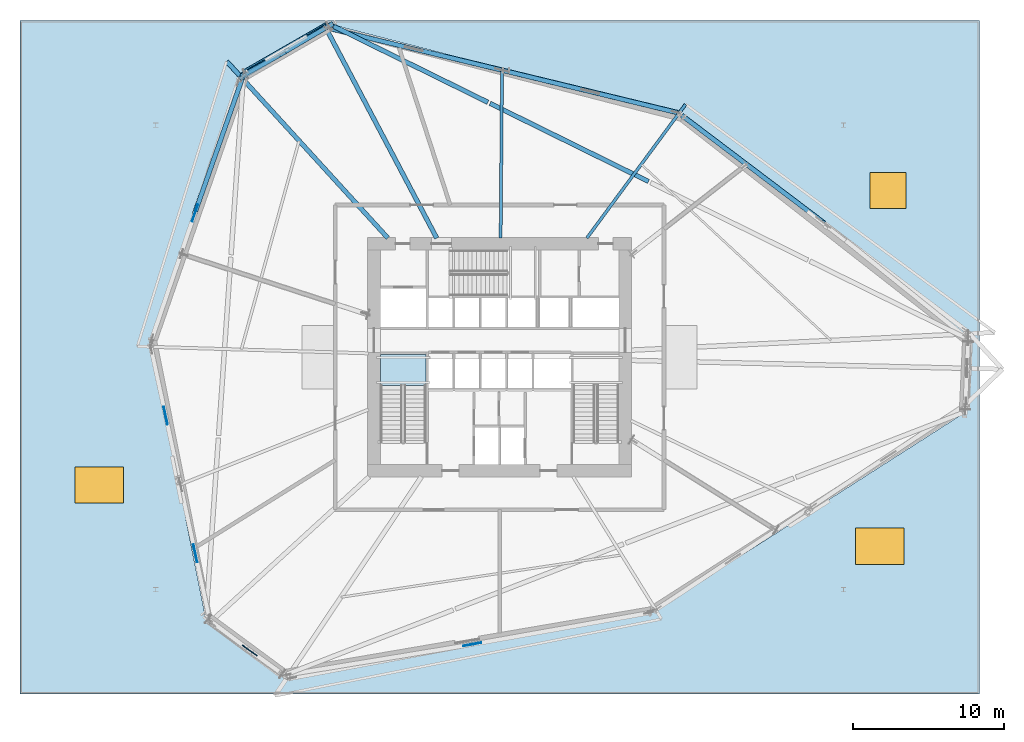
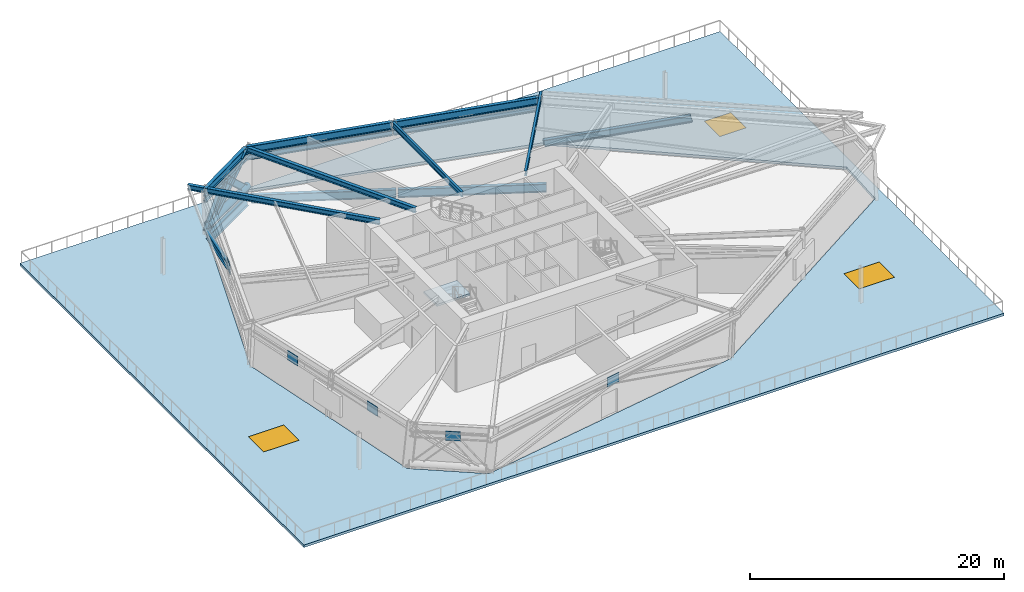
# One storey, part 7 of 20: 10 beams, 9 members, 5 plates, 3 windows, 2 slabs, 3 openings, 1 element without a shape of its own.
"""IFC4 building model written with IfcOpenShell, lengths in metres."""

from ifc_helpers import new_model, si_unit, direction, frame, origin, origin_2d, place, context, subcontext, project, spatial, polyline, rectangle, hollow_circle, i_section, outline, extrude, source, transform, mapped, material, layer, layer_set, material_profile, profile_set, type_object, element, fill, aggregate, save


model = new_model("IFC4")

# Units and contexts
model_context = context("Model", 3, precision=1e-05, world=origin(), true_north=direction((0.0, 1.0)))
body_context = subcontext(model_context, "Body", "Model", "MODEL_VIEW")
ifc_project = project(units=[si_unit("LENGTHUNIT", "METRE"), si_unit("AREAUNIT", "SQUARE_METRE"), si_unit("VOLUMEUNIT", "CUBIC_METRE"), si_unit("PLANEANGLEUNIT", "RADIAN"), si_unit("MASSUNIT", "GRAM", prefix="KILO")], contexts=[model_context])

# Site, building, storey
site_placement = place(None, origin())
site = spatial("IfcSite", under=ifc_project, at=site_placement, CompositionType="ELEMENT")
building_placement = place(site_placement, origin())
building = spatial("IfcBuilding", under=site, at=building_placement, Name="Olszyna Solenne Hotel", CompositionType="ELEMENT")
storey_placement = place(building_placement, frame((0.0, 0.0, 24.60009765625)))
storey = spatial("IfcBuildingStorey", under=building, at=storey_placement, Name="L05", CompositionType="ELEMENT", Elevation=24.60009765625)

# Beams
ifc_material_1 = material(Name="Steel S355J2", Category="steel")
ifc_material_profile_1 = material_profile(ifc_material_1, i_section(OverallWidth=0.300048828125, OverallDepth=0.699951171875, WebThickness=0.01708984375, FlangeThickness=0.031982421875, at=origin_2d()), Name="HEB 700", Category="load-bearing")
ifc_profile_set_1 = profile_set([ifc_material_profile_1], Name="Steel S355J2")
beam_type_1 = type_object("IfcBeamType", Name="BM-S1", PredefinedType="BEAM", material=ifc_profile_set_1)
shared_shape_1 = source(origin(), body_context, "Body", "SweptSolid", [
    extrude(i_section(OverallWidth=0.300048828125, OverallDepth=0.699951171875, WebThickness=0.01708984375, FlangeThickness=0.031982421875, at=origin_2d()), origin(), (0.0, 0.0, 1.0), 11.912841796875),
])
beam_1_placement = place(storey_placement, frame((49.79638671875, 42.8193359375, 4.099853515625), z_axis=(-0.9719694255, 0.23510728592, 0.0), x_axis=(-0.23510728592, -0.9719694255, 0.0)))
element("IfcBeam", 1, at=beam_1_placement, inside=storey, type_object=beam_type_1, Name="Perimeter spandrel beam BM-S1 B-L05-0157", PredefinedType="BEAM", context=body_context, shape_type="MappedRepresentation", body=[
    mapped(shared_shape_1, transform((0.0, 0.0, 0.0), x_axis=(1.0, 0.0, 0.0), y_axis=(0.0, 1.0, 0.0), z_axis=(0.0, 0.0, 1.0), scale=1.0)),
])
shared_shape_2 = source(origin(), body_context, "Body", "SweptSolid", [
    extrude(i_section(OverallWidth=0.300048828125, OverallDepth=0.699951171875, WebThickness=0.01708984375, FlangeThickness=0.031982421875, at=origin_2d()), origin(), (0.0, 0.0, 1.0), 11.91259765625),
])
beam_2_placement = place(storey_placement, frame((38.10107421875, 45.6484375, 4.099853515625), z_axis=(-0.971968292651, 0.235111969242, 0.0), x_axis=(-0.235111969242, -0.971968292651, 0.0)))
element("IfcBeam", 2, at=beam_2_placement, inside=storey, type_object=beam_type_1, Name="Perimeter spandrel beam BM-S1 B-L05-0158", PredefinedType="BEAM", context=body_context, shape_type="MappedRepresentation", body=[
    mapped(shared_shape_2, transform((0.0, 0.0, 0.0), x_axis=(1.0, 0.0, 0.0), y_axis=(0.0, 1.0, 0.0), z_axis=(0.0, 0.0, 1.0), scale=1.0)),
])
shared_shape_3 = source(origin(), body_context, "Body", "SweptSolid", [
    extrude(i_section(OverallWidth=0.300048828125, OverallDepth=0.699951171875, WebThickness=0.01708984375, FlangeThickness=0.031982421875, at=origin_2d()), origin(), (0.0, 0.0, 1.0), 6.564453125),
])
beam_3_placement = place(storey_placement, frame((26.41259765625, 48.4326171875, 4.099853515625), z_axis=(-0.858933447026, -0.512087232393, 0.0), x_axis=(0.512087232393, -0.858933447026, 0.0)))
element("IfcBeam", 3, at=beam_3_placement, inside=storey, type_object=beam_type_1, Name="Perimeter spandrel beam BM-S1 B-L05-0159", PredefinedType="BEAM", context=body_context, shape_type="MappedRepresentation", body=[
    mapped(shared_shape_3, transform((0.0, 0.0, 0.0), x_axis=(1.0, 0.0, 0.0), y_axis=(0.0, 1.0, 0.0), z_axis=(0.0, 0.0, 1.0), scale=1.0)),
])
ifc_material_profile_2 = material_profile(ifc_material_1, i_section(OverallWidth=0.199951171875, OverallDepth=0.5, WebThickness=0.01025390625, FlangeThickness=0.01611328125, at=origin_2d()), Name="IPE 500", Category="load-bearing")
ifc_profile_set_2 = profile_set([ifc_material_profile_2], Name="Steel S355J2")
beam_type_2 = type_object("IfcBeamType", Name="BM-F3", PredefinedType="BEAM", material=ifc_profile_set_2)
shared_shape_4 = source(origin(), body_context, "Body", "SweptSolid", [
    extrude(i_section(OverallWidth=0.199951171875, OverallDepth=0.5, WebThickness=0.01025390625, FlangeThickness=0.01611328125, at=origin_2d()), origin(), (0.0, 0.0, 1.0), 11.003662109375),
])
beam_4_placement = place(storey_placement, frame((50.319091796875, 43.364013671875, 4.199951171875), z_axis=(-0.593705241248, -0.804682599858, 0.0), x_axis=(0.804682599858, -0.593705241248, 0.0)))
element("IfcBeam", 4, at=beam_4_placement, inside=storey, type_object=beam_type_2, Name="Radial floor girder BM-F3 B-L05-0169", PredefinedType="BEAM", context=body_context, shape_type="MappedRepresentation", body=[
    mapped(shared_shape_4, transform((0.0, 0.0, 0.0), x_axis=(1.0, 0.0, 0.0), y_axis=(0.0, 1.0, 0.0), z_axis=(0.0, 0.0, 1.0), scale=1.0)),
])
shared_shape_5 = source(origin(), body_context, "Body", "SweptSolid", [
    extrude(i_section(OverallWidth=0.199951171875, OverallDepth=0.5, WebThickness=0.01025390625, FlangeThickness=0.01611328125, at=origin_2d()), origin(), (0.0, 0.0, 1.0), 11.07470703125),
])
beam_5_placement = place(storey_placement, frame((38.15869140625, 45.57421875, 4.199951171875), z_axis=(-0.00835508755, -0.999965095647, 0.0), x_axis=(0.999965095647, -0.00835508755, 0.0)))
element("IfcBeam", 5, at=beam_5_placement, inside=storey, type_object=beam_type_2, Name="Radial floor girder BM-F3 B-L05-0170", PredefinedType="BEAM", context=body_context, shape_type="MappedRepresentation", body=[
    mapped(shared_shape_5, transform((0.0, 0.0, 0.0), x_axis=(1.0, 0.0, 0.0), y_axis=(0.0, 1.0, 0.0), z_axis=(0.0, 0.0, 1.0), scale=1.0)),
])
ifc_material_profile_3 = material_profile(ifc_material_1, i_section(OverallWidth=0.300048828125, OverallDepth=0.489990234375, WebThickness=0.011962890625, FlangeThickness=0.02294921875, at=origin_2d()), Name="HEA 500", Category="load-bearing")
ifc_profile_set_3 = profile_set([ifc_material_profile_3], Name="Steel S355J2")
beam_type_3 = type_object("IfcBeamType", Name="BM-G1", PredefinedType="BEAM", material=ifc_profile_set_3)
shared_shape_6 = source(origin(), body_context, "Body", "SweptSolid", [
    extrude(i_section(OverallWidth=0.300048828125, OverallDepth=0.489990234375, WebThickness=0.011962890625, FlangeThickness=0.02294921875, at=origin_2d()), origin(), (0.0, 0.0, 1.0), 15.72119140625),
])
beam_6_placement = place(storey_placement, frame((26.4921875, 48.41015625, 4.204833984375), z_axis=(0.46666144725, -0.884436031407, 0.0), x_axis=(0.884436031407, 0.46666144725, 0.0)))
element("IfcBeam", 6, at=beam_6_placement, inside=storey, type_object=beam_type_3, Name="Radial floor girder BM-G1 B-L05-0171", PredefinedType="BEAM", context=body_context, shape_type="MappedRepresentation", body=[
    mapped(shared_shape_6, transform((0.0, 0.0, 0.0), x_axis=(1.0, 0.0, 0.0), y_axis=(0.0, 1.0, 0.0), z_axis=(0.0, 0.0, 1.0), scale=1.0)),
])
shared_shape_7 = source(origin(), body_context, "Body", "SweptSolid", [
    extrude(i_section(OverallWidth=0.300048828125, OverallDepth=0.489990234375, WebThickness=0.011962890625, FlangeThickness=0.02294921875, at=origin_2d()), origin(), (0.0, 0.0, 1.0), 15.843017578125),
])
beam_7_placement = place(storey_placement, frame((19.908203125, 46.218017578125, 4.204833984375), z_axis=(0.673940444833, -0.738785677189, 0.0), x_axis=(0.738785677189, 0.673940444833, 0.0)))
element("IfcBeam", 7, at=beam_7_placement, inside=storey, type_object=beam_type_3, Name="Radial floor girder BM-G1 B-L05-0172", PredefinedType="BEAM", context=body_context, shape_type="MappedRepresentation", body=[
    mapped(shared_shape_7, transform((0.0, 0.0, 0.0), x_axis=(1.0, 0.0, 0.0), y_axis=(0.0, 1.0, 0.0), z_axis=(0.0, 0.0, 1.0), scale=1.0)),
])

# Member
ifc_material_2 = material(Name="Steel S460M", Category="steel")
ifc_material_profile_4 = material_profile(ifc_material_2, i_section(OverallWidth=0.412109375, OverallDepth=0.43505859375, WebThickness=0.031494140625, FlangeThickness=0.050048828125, at=origin_2d()), Name="HD 400x463", Category="load-bearing")
ifc_profile_set_4 = profile_set([ifc_material_profile_4], Name="Steel S460M")
member_type_1 = type_object("IfcMemberType", Name="BR-T1", PredefinedType="BRACE", material=ifc_profile_set_4)
shared_shape_8 = source(origin(), body_context, "Body", "SweptSolid", [
    extrude(i_section(OverallWidth=0.412109375, OverallDepth=0.43505859375, WebThickness=0.031494140625, FlangeThickness=0.050048828125, at=origin_2d()), origin(), (0.0, 0.0, 1.0), 7.4892578125),
])
member_1_placement = place(storey_placement, frame((21.014404296875, 45.309326171875, 0.010009765625), z_axis=(0.727674358319, 0.421113581255, 0.541436404324), x_axis=(-0.500883418889, 0.865514760523, 0.0)))
element("IfcMember", 8, at=member_1_placement, inside=storey, type_object=member_type_1, Name="Perimeter braced-tube diagonal BR-T1 BR-L05-2", PredefinedType="BRACE", context=body_context, shape_type="MappedRepresentation", body=[
    mapped(shared_shape_8, transform((0.0, 0.0, 0.0), x_axis=(1.0, 0.0, 0.0), y_axis=(0.0, 1.0, 0.0), z_axis=(0.0, 0.0, 1.0), scale=1.0)),
])

# Beams
ifc_material_profile_5 = material_profile(ifc_material_1, i_section(OverallWidth=0.300048828125, OverallDepth=0.800048828125, WebThickness=0.017578125, FlangeThickness=0.032958984375, at=origin_2d()), Name="HEB 800", Category="load-bearing")
ifc_profile_set_5 = profile_set([ifc_material_profile_5], Name="Steel S355J2")
beam_type_4 = type_object("IfcBeamType", Name="TG-02", PredefinedType="BEAM", material=ifc_profile_set_5)
shared_shape_9 = source(origin(), body_context, "Body", "SweptSolid", [
    extrude(i_section(OverallWidth=0.300048828125, OverallDepth=0.800048828125, WebThickness=0.017578125, FlangeThickness=0.032958984375, at=origin_2d()), origin(), (0.0, 0.0, 1.0), 11.718017578125),
])
beam_8_placement = place(storey_placement, frame((47.868896484375, 38.2578125, -0.820068359375), z_axis=(-0.896909246916, 0.442214656921, 0.0), x_axis=(-0.442214656921, -0.896909246916, 0.0)))
element("IfcBeam", 9, at=beam_8_placement, inside=storey, type_object=beam_type_4, Name="Transfer girder TG-02 TG-L05-02-3", PredefinedType="BEAM", context=body_context, shape_type="MappedRepresentation", body=[
    mapped(shared_shape_9, transform((0.0, 0.0, 0.0), x_axis=(1.0, 0.0, 0.0), y_axis=(0.0, 1.0, 0.0), z_axis=(0.0, 0.0, 1.0), scale=1.0)),
])
shared_shape_10 = source(origin(), body_context, "Body", "SweptSolid", [
    extrude(i_section(OverallWidth=0.300048828125, OverallDepth=0.800048828125, WebThickness=0.017578125, FlangeThickness=0.032958984375, at=origin_2d()), origin(), (0.0, 0.0, 1.0), 11.402587890625),
])
beam_9_placement = place(storey_placement, frame((37.215087890625, 43.510498046875, -0.820068359375), z_axis=(-0.896892859153, 0.44224789338, 0.0), x_axis=(-0.44224789338, -0.896892859153, 0.0)))
element("IfcBeam", 10, at=beam_9_placement, inside=storey, type_object=beam_type_4, Name="Transfer girder TG-02 TG-L05-02-4", PredefinedType="BEAM", context=body_context, shape_type="MappedRepresentation", body=[
    mapped(shared_shape_10, transform((0.0, 0.0, 0.0), x_axis=(1.0, 0.0, 0.0), y_axis=(0.0, 1.0, 0.0), z_axis=(0.0, 0.0, 1.0), scale=1.0)),
])
ifc_material_profile_6 = material_profile(ifc_material_2, i_section(OverallWidth=0.300048828125, OverallDepth=0.89990234375, WebThickness=0.0185546875, FlangeThickness=0.034912109375, at=origin_2d()), Name="HEB 900", Category="load-bearing")
ifc_profile_set_6 = profile_set([ifc_material_profile_6], Name="Steel S460M")
beam_type_5 = type_object("IfcBeamType", Name="TG-01", PredefinedType="BEAM", material=ifc_profile_set_6)
shared_shape_11 = source(origin(), body_context, "Body", "SweptSolid", [
    extrude(i_section(OverallWidth=0.300048828125, OverallDepth=0.89990234375, WebThickness=0.0185546875, FlangeThickness=0.034912109375, at=origin_2d()), origin(), (0.0, 0.0, 1.0), 6.284423828125),
])
beam_10_placement = place(storey_placement, frame((26.635498046875, 48.5419921875, -0.8701171875), z_axis=(-0.866881959663, -0.498513458205, 0.0), x_axis=(0.498513458205, -0.866881959663, 0.0)))
element("IfcBeam", 11, at=beam_10_placement, inside=storey, type_object=beam_type_5, Name="Transfer girder TG-01 TG-L05-03", PredefinedType="BEAM", context=body_context, shape_type="MappedRepresentation", body=[
    mapped(shared_shape_11, transform((0.0, 0.0, 0.0), x_axis=(1.0, 0.0, 0.0), y_axis=(0.0, 1.0, 0.0), z_axis=(0.0, 0.0, 1.0), scale=1.0)),
])

# Members
ifc_material_profile_7 = material_profile(ifc_material_2, i_section(OverallWidth=0.304931640625, OverallDepth=0.6201171875, WebThickness=0.02099609375, FlangeThickness=0.0400390625, at=origin_2d()), Name="HEM 600", Category="load-bearing")
ifc_profile_set_7 = profile_set([ifc_material_profile_7], Name="Steel S460M")
member_type_2 = type_object("IfcMemberType", Name="BR-OU1", PredefinedType="BRACE", material=ifc_profile_set_7)
shared_shape_12 = source(origin(), body_context, "Body", "SweptSolid", [
    extrude(i_section(OverallWidth=0.304931640625, OverallDepth=0.6201171875, WebThickness=0.02099609375, FlangeThickness=0.0400390625, at=origin_2d()), origin(), (0.0, 0.0, 1.0), 12.156494140625),
])
member_2_placement = place(storey_placement, frame((50.13916015625, 42.592529296875, 0.02001953125), z_axis=(0.766094072849, -0.579480899124, 0.278031938985), x_axis=(0.603266596966, 0.797539599635, 0.0)))
element("IfcMember", 12, at=member_2_placement, inside=storey, type_object=member_type_2, Name="Transfer truss diagonal BR-OU1 BT-L05-02-2", PredefinedType="BRACE", context=body_context, shape_type="MappedRepresentation", body=[
    mapped(shared_shape_12, transform((0.0, 0.0, 0.0), x_axis=(1.0, 0.0, 0.0), y_axis=(0.0, 1.0, 0.0), z_axis=(0.0, 0.0, 1.0), scale=1.0)),
])
ifc_material_profile_8 = material_profile(ifc_material_1, i_section(OverallWidth=0.305908203125, OverallDepth=0.52392578125, WebThickness=0.02099609375, FlangeThickness=0.0400390625, at=origin_2d()), Name="HEM 500", Category="load-bearing")
ifc_profile_set_8 = profile_set([ifc_material_profile_8], Name="Steel S355J2")
member_type_3 = type_object("IfcMemberType", Name="CH-TR1", PredefinedType="CHORD", material=ifc_profile_set_8)
shared_shape_13 = source(origin(), body_context, "Body", "SweptSolid", [
    extrude(i_section(OverallWidth=0.305908203125, OverallDepth=0.52392578125, WebThickness=0.02099609375, FlangeThickness=0.0400390625, at=origin_2d()), origin(), (0.0, 0.0, 1.0), 11.952392578125),
])
for number, where, z_axis, x_axis, name in (
    (13, (49.815673828125, 42.814697265625, 3.39990234375), (-0.971965776344, 0.235122371577, 0.0), (-0.235122371577, -0.971965776344, 0.0), "Transfer truss upper chord CH-TR1 CH-L05-03"),
    (14, (38.120361328125, 45.643798828125, 3.39990234375), (-0.971970444121, 0.235103074747, 0.0), (-0.235103074747, -0.971970444121, 0.0), "Transfer truss upper chord CH-TR1 CH-L05-04"),
):
    element("IfcMember", number, at=place(storey_placement, frame(where, z_axis=z_axis, x_axis=x_axis)), inside=storey, type_object=member_type_3, Name=name, PredefinedType="CHORD", context=body_context, shape_type="MappedRepresentation", body=[
        mapped(shared_shape_13, transform((0.0, 0.0, 0.0), x_axis=(1.0, 0.0, 0.0), y_axis=(0.0, 1.0, 0.0), z_axis=(0.0, 0.0, 1.0), scale=1.0)),
    ])
shared_shape_14 = source(origin(), body_context, "Body", "SweptSolid", [
    extrude(i_section(OverallWidth=0.305908203125, OverallDepth=0.52392578125, WebThickness=0.02099609375, FlangeThickness=0.0400390625, at=origin_2d()), origin(), (0.0, 0.0, 1.0), 6.604248046875),
])
member_3_placement = place(storey_placement, frame((26.4296875, 48.442626953125, 3.39990234375), z_axis=(-0.858941033117, -0.512074507886, 0.0), x_axis=(0.512074507886, -0.858941033117, 0.0)))
element("IfcMember", 15, at=member_3_placement, inside=storey, type_object=member_type_3, Name="Transfer truss upper chord CH-TR1 CH-L05-05", PredefinedType="CHORD", context=body_context, shape_type="MappedRepresentation", body=[
    mapped(shared_shape_14, transform((0.0, 0.0, 0.0), x_axis=(1.0, 0.0, 0.0), y_axis=(0.0, 1.0, 0.0), z_axis=(0.0, 0.0, 1.0), scale=1.0)),
])
shared_shape_15 = source(origin(), body_context, "Body", "SweptSolid", [
    extrude(i_section(OverallWidth=0.304931640625, OverallDepth=0.6201171875, WebThickness=0.02099609375, FlangeThickness=0.0400390625, at=origin_2d()), origin(), (0.0, 0.0, 1.0), 5.003662109375),
])
member_4_placement = place(storey_placement, frame((26.774169921875, 48.621826171875, 0.02001953125), z_axis=(-0.635655360378, -0.373742712657, 0.675469205486), x_axis=(0.506846616742, -0.862036256255, 0.0)))
element("IfcMember", 16, at=member_4_placement, inside=storey, type_object=member_type_2, Name="Transfer truss diagonal BR-OU1 BT-L05-05-1", PredefinedType="BRACE", context=body_context, shape_type="MappedRepresentation", body=[
    mapped(shared_shape_15, transform((0.0, 0.0, 0.0), x_axis=(1.0, 0.0, 0.0), y_axis=(0.0, 1.0, 0.0), z_axis=(0.0, 0.0, 1.0), scale=1.0)),
])
shared_shape_16 = source(origin(), body_context, "Body", "SweptSolid", [
    extrude(i_section(OverallWidth=0.304931640625, OverallDepth=0.6201171875, WebThickness=0.02099609375, FlangeThickness=0.0400390625, at=origin_2d()), origin(), (0.0, 0.0, 1.0), 4.46337890625),
])
member_5_placement = place(storey_placement, frame((21.049072265625, 45.329345703125, 0.02001953125), z_axis=(0.570081566069, 0.318681174815, 0.757264363909), x_axis=(-0.487945243216, 0.872874240439, 0.0)))
element("IfcMember", 17, at=member_5_placement, inside=storey, type_object=member_type_2, Name="Transfer truss diagonal BR-OU1 BT-L05-05-2", PredefinedType="BRACE", context=body_context, shape_type="MappedRepresentation", body=[
    mapped(shared_shape_16, transform((0.0, 0.0, 0.0), x_axis=(1.0, 0.0, 0.0), y_axis=(0.0, 1.0, 0.0), z_axis=(0.0, 0.0, 1.0), scale=1.0)),
])
shared_shape_17 = source(origin(), body_context, "Body", "SweptSolid", [
    extrude(i_section(OverallWidth=0.304931640625, OverallDepth=0.6201171875, WebThickness=0.02099609375, FlangeThickness=0.0400390625, at=origin_2d()), origin(), (0.0, 0.0, 1.0), 10.22412109375),
])
member_6_placement = place(storey_placement, frame((21.001220703125, 45.271484375, 0.02001953125), z_axis=(-0.313436072954, -0.890210025881, 0.330581212401), x_axis=(0.943241367437, -0.332107998631, 0.0)))
element("IfcMember", 18, at=member_6_placement, inside=storey, type_object=member_type_2, Name="Transfer truss diagonal BR-OU1 BT-L05-06-1", PredefinedType="BRACE", context=body_context, shape_type="MappedRepresentation", body=[
    mapped(shared_shape_17, transform((0.0, 0.0, 0.0), x_axis=(1.0, 0.0, 0.0), y_axis=(0.0, 1.0, 0.0), z_axis=(0.0, 0.0, 1.0), scale=1.0)),
])
ifc_material_profile_9 = material_profile(ifc_material_2, hollow_circle(Radius=0.304931640625, WallThickness=0.02490234375, at=origin_2d()), Name="CHS 610x25", Category="load-bearing")
ifc_profile_set_9 = profile_set([ifc_material_profile_9], Name="Steel S460M")
member_type_4 = type_object("IfcMemberType", Name="BR-TB1", PredefinedType="BRACE", material=ifc_profile_set_9)
shared_shape_18 = source(origin(), body_context, "Body", "SweptSolid", [
    extrude(hollow_circle(Radius=0.304931640625, WallThickness=0.02490234375, at=origin_2d()), origin(), (0.0, 0.0, 1.0), 6.324462890625),
])
member_7_placement = place(storey_placement, frame((26.65283203125, 48.552001953125, 0.5498046875), z_axis=(-0.866876274661, -0.498523343916, 0.0), x_axis=(0.498523343916, -0.866876274661, 0.0)))
element("IfcMember", 19, at=member_7_placement, inside=storey, type_object=member_type_4, Name="Belt collar tie BR-TB1 CTB-L05-2", PredefinedType="BRACE", context=body_context, shape_type="MappedRepresentation", body=[
    mapped(shared_shape_18, transform((0.0, 0.0, 0.0), x_axis=(1.0, 0.0, 0.0), y_axis=(0.0, 1.0, 0.0), z_axis=(0.0, 0.0, 1.0), scale=1.0)),
])

# Stair, slab
ifc_material_3 = material(Name="Concrete C40/50", Category="concrete")
stair_type = type_object("IfcStairType", Name="STR-C1", PredefinedType="TWO_QUARTER_WINDING_STAIR", material=ifc_material_3)
stair_placement = place(storey_placement, origin())
stair = element("IfcStair", 20, at=stair_placement, inside=storey, type_object=stair_type, Name="L05 ST1", PredefinedType="TWO_QUARTER_WINDING_STAIR")
ifc_layer_1 = layer(ifc_material_3, 0.18994140625, Name="Concrete C40/50")
ifc_layer_set_1 = layer_set([ifc_layer_1], Name="Concrete C40/50")
slab_type_1 = type_object("IfcSlabType", Name="SL-LN190", PredefinedType="LANDING", material=ifc_layer_set_1)
slab_1_placement = place(storey_placement, frame((0.0, 0.0, 2.14990234375)))
slab_1 = element("IfcSlab", 21, at=slab_1_placement, type_object=slab_type_1, Name="ST1 landing 1", PredefinedType="LANDING", context=body_context, shape_type="SweptSolid", body=[
    extrude(outline(polyline([(33.1201171875, 24.719970703125), (33.1201171875, 26.800048828125), (30.10009765625, 26.800048828125), (30.10009765625, 24.719970703125), (33.1201171875, 24.719970703125)])), origin(), (0.0, 0.0, 1.0), 0.199951171875),
])
aggregate(stair, [slab_1])

# Slab, openings, windows
ifc_material_4 = material(Name="Concrete C45/55", Category="concrete")
ifc_layer_2 = layer(ifc_material_4, 0.239990234375, Name="Concrete C45/55")
ifc_layer_set_2 = layer_set([ifc_layer_2], Name="Concrete C45/55")
slab_type_2 = type_object("IfcSlabType", Name="SL-TER240", PredefinedType="FLOOR", material=ifc_layer_set_2)
slab_2_placement = place(storey_placement, frame((0.0, 0.0, -0.239990234375)))
slab_2 = element("IfcSlab", 22, at=slab_2_placement, inside=storey, type_object=slab_type_2, Name="Cascading planted garden-terrace slab SL-L05-TER1", PredefinedType="FLOOR", context=body_context, shape_type="SweptSolid", body=[
    extrude(outline(polyline([(6.199951171875, 4.280029296875), (69.800048828125, 4.280029296875), (69.800048828125, 48.919921875), (6.199951171875, 48.919921875), (6.199951171875, 4.280029296875)]), holes=[polyline([(68.876708984375, 22.9609375), (68.87890625, 22.962890625), (68.880859375, 22.96484375), (68.882568359375, 22.96728515625), (68.884033203125, 22.969482421875), (68.885498046875, 22.97216796875), (68.886474609375, 22.974853515625), (68.88720703125, 22.9775390625), (68.8876953125, 22.98046875), (68.88818359375, 22.9833984375), (69.1025390625, 27.801513671875), (69.1025390625, 27.804443359375), (69.102294921875, 27.807373046875), (69.101806640625, 27.81005859375), (69.100830078125, 27.812744140625), (69.099853515625, 27.8154296875), (69.098388671875, 27.818115234375), (69.096923828125, 27.8203125), (69.09521484375, 27.822509765625), (69.09326171875, 27.82470703125), (69.091064453125, 27.826416015625), (50.126220703125, 42.640625), (50.123779296875, 42.642578125), (50.12109375, 42.64404296875), (50.1181640625, 42.645263671875), (50.115234375, 42.64599609375), (26.81640625, 48.670654296875), (26.813720703125, 48.67138671875), (26.810791015625, 48.671630859375), (26.807861328125, 48.671630859375), (26.804931640625, 48.67138671875), (26.802001953125, 48.6708984375), (26.79931640625, 48.670166015625), (26.79638671875, 48.6689453125), (26.7939453125, 48.667724609375), (20.99951171875, 45.33544921875), (20.996826171875, 45.333740234375), (20.994384765625, 45.331787109375), (20.9921875, 45.32958984375), (20.990234375, 45.327392578125), (20.988525390625, 45.32470703125), (20.9873046875, 45.322021484375), (20.986083984375, 45.319091796875), (14.856201171875, 27.672607421875), (14.85546875, 27.66943359375), (14.854736328125, 27.66650390625), (14.8544921875, 27.6630859375), (14.854736328125, 27.659912109375), (14.855224609375, 27.65673828125), (18.502197265625, 9.335205078125), (18.5029296875, 9.332763671875), (18.50390625, 9.330078125), (18.5048828125, 9.327392578125), (18.50634765625, 9.3251953125), (18.508056640625, 9.32275390625), (18.509765625, 9.32080078125), (18.51171875, 9.31884765625), (18.513916015625, 9.317138671875), (23.696533203125, 5.49609375), (23.698974609375, 5.494384765625), (23.70166015625, 5.492919921875), (23.70458984375, 5.491943359375), (23.70751953125, 5.490966796875), (23.710205078125, 5.490478515625), (23.71337890625, 5.490234375), (23.71630859375, 5.490234375), (23.719482421875, 5.490478515625), (48.059326171875, 9.65283203125), (48.062255859375, 9.653564453125), (48.06494140625, 9.654541015625), (48.06787109375, 9.65576171875), (48.0703125, 9.6572265625), (68.874267578125, 22.959228515625), (68.876708984375, 22.9609375)]), polyline([(9.857666015625, 16.92529296875), (13.0576171875, 16.92529296875), (13.0576171875, 19.3251953125), (9.857666015625, 19.3251953125), (9.857666015625, 16.92529296875)]), polyline([(61.598388671875, 12.868896484375), (64.798583984375, 12.868896484375), (64.798583984375, 15.268798828125), (61.598388671875, 15.268798828125), (61.598388671875, 12.868896484375)]), polyline([(62.548828125, 36.452880859375), (64.948974609375, 36.452880859375), (64.948974609375, 38.85302734375), (62.548828125, 38.85302734375), (62.548828125, 36.452880859375)])]), origin(), (0.0, 0.0, 1.0), 0.239990234375),
])
opening_1_placement = place(slab_2_placement, frame((11.45751953125, 18.125244140625, 0.0)))
opening_1 = element("IfcOpeningElement", 23, at=opening_1_placement, cuts=slab_2, Name="Opening SK-L05-01", PredefinedType="OPENING", context=body_context, shape_type="SweptSolid", body=[
    extrude(rectangle(XDim=3.199951171875, YDim=2.39990234375, at=origin_2d()), origin(), (0.0, 0.0, 1.0), 0.239990234375),
])
opening_2_placement = place(slab_2_placement, frame((63.198486328125, 14.06884765625, 0.0)))
opening_2 = element("IfcOpeningElement", 24, at=opening_2_placement, cuts=slab_2, Name="Opening SK-L05-02", PredefinedType="OPENING", context=body_context, shape_type="SweptSolid", body=[
    extrude(rectangle(XDim=3.199951171875, YDim=2.39990234375, at=origin_2d()), origin(), (0.0, 0.0, 1.0), 0.239990234375),
])
opening_3_placement = place(slab_2_placement, frame((63.748779296875, 37.653076171875, 0.0)))
opening_3 = element("IfcOpeningElement", 25, at=opening_3_placement, cuts=slab_2, Name="Opening SK-L05-03", PredefinedType="OPENING", context=body_context, shape_type="SweptSolid", body=[
    extrude(rectangle(XDim=2.39990234375, YDim=2.39990234375, at=origin_2d()), origin(), (0.0, 0.0, 1.0), 0.239990234375),
])
ifc_material_5 = material(Name="Low-E triple glazing", Category="glass")
window_type_1 = type_object("IfcWindowType", Name="SK-PD1", PartitioningType="SINGLE_PANEL", PredefinedType="SKYLIGHT", material=ifc_material_5)
window_1_placement = place(opening_1_placement, frame((0.0, 0.0, 0.18994140625)))
window_1 = element("IfcWindow", 26, at=window_1_placement, inside=storey, type_object=window_type_1, Name="Podium roof terrace rooflight SK-PD1 SK-L05-01", OverallHeight=2.39990234375, OverallWidth=3.199951171875, PartitioningType="SINGLE_PANEL", PredefinedType="SKYLIGHT", context=body_context, shape_type="SweptSolid", body=[
    extrude(rectangle(XDim=3.199951171875, YDim=2.39990234375, at=origin_2d()), origin(), (0.0, 0.0, 1.0), 0.050048828125),
])
fill(opening_1, window_1)
window_2_placement = place(opening_2_placement, frame((0.0, 0.0, 0.18994140625)))
window_2 = element("IfcWindow", 27, at=window_2_placement, inside=storey, type_object=window_type_1, Name="Podium roof terrace rooflight SK-PD1 SK-L05-02", OverallHeight=2.39990234375, OverallWidth=3.199951171875, PartitioningType="SINGLE_PANEL", PredefinedType="SKYLIGHT", context=body_context, shape_type="SweptSolid", body=[
    extrude(rectangle(XDim=3.199951171875, YDim=2.39990234375, at=origin_2d()), origin(), (0.0, 0.0, 1.0), 0.050048828125),
])
fill(opening_2, window_2)
window_type_2 = type_object("IfcWindowType", Name="SK-PD2", PartitioningType="SINGLE_PANEL", PredefinedType="SKYLIGHT", material=ifc_material_5)
window_3_placement = place(opening_3_placement, frame((0.0, 0.0, 0.18994140625)))
window_3 = element("IfcWindow", 28, at=window_3_placement, inside=storey, type_object=window_type_2, Name="Podium roof terrace rooflight SK-PD2 SK-L05-03", OverallHeight=2.39990234375, OverallWidth=2.39990234375, PartitioningType="SINGLE_PANEL", PredefinedType="SKYLIGHT", context=body_context, shape_type="SweptSolid", body=[
    extrude(rectangle(XDim=2.39990234375, YDim=2.39990234375, at=origin_2d()), origin(), (0.0, 0.0, 1.0), 0.050048828125),
])
fill(opening_3, window_3)

# Plates
plate_type = type_object("IfcPlateType", Name="GP-ND1", PredefinedType="USERDEFINED", material=ifc_material_2)
shared_shape_19 = source(origin(), body_context, "Body", "SweptSolid", [
    extrude(rectangle(XDim=1.199951171875, YDim=0.06005859375, at=origin_2d()), origin(), (0.0, 0.0, 1.0), 0.89990234375),
])
for number, where, z_axis, x_axis, name in (
    (29, (17.796630859375, 36.169921875, 2.949951171875), (0.0, 0.0, 1.0), (-0.31332955548, -0.949644454342, 0.0), "Transfer truss node gusset plate TN-L05-06"),
    (30, (15.8544921875, 22.73388671875, 2.949951171875), (0.0, 0.0, 1.0), (0.210642379992, -0.977563188623, 0.0), "Transfer truss node gusset plate TN-L05-07"),
    (31, (17.821533203125, 13.60302734375, 2.949951171875), (0.0, 0.0, 1.0), (0.210642379992, -0.977563188623, 0.0), "Transfer truss node gusset plate TN-L05-08"),
    (32, (21.42626953125, 7.16796875, 2.949951171875), (0.0, 0.0, 1.0), (0.814115518356, -0.580702955711, 0.0), "Transfer truss node gusset plate TN-L05-09"),
    (33, (36.18310546875, 7.570556640625, 2.949951171875), (0.0, 0.0, 1.0), (0.98293534915, 0.183951350613, 0.0), "Transfer truss node gusset plate TN-L05-10"),
):
    element("IfcPlate", number, at=place(storey_placement, frame(where, z_axis=z_axis, x_axis=x_axis)), inside=storey, type_object=plate_type, Name=name, ObjectType="GUSSET_PLATE", PredefinedType="USERDEFINED", context=body_context, shape_type="MappedRepresentation", body=[
        mapped(shared_shape_19, transform((0.0, 0.0, 0.0), x_axis=(1.0, 0.0, 0.0), y_axis=(0.0, 1.0, 0.0), z_axis=(0.0, 0.0, 1.0), scale=1.0)),
    ])

save(model, "model.ifc")
